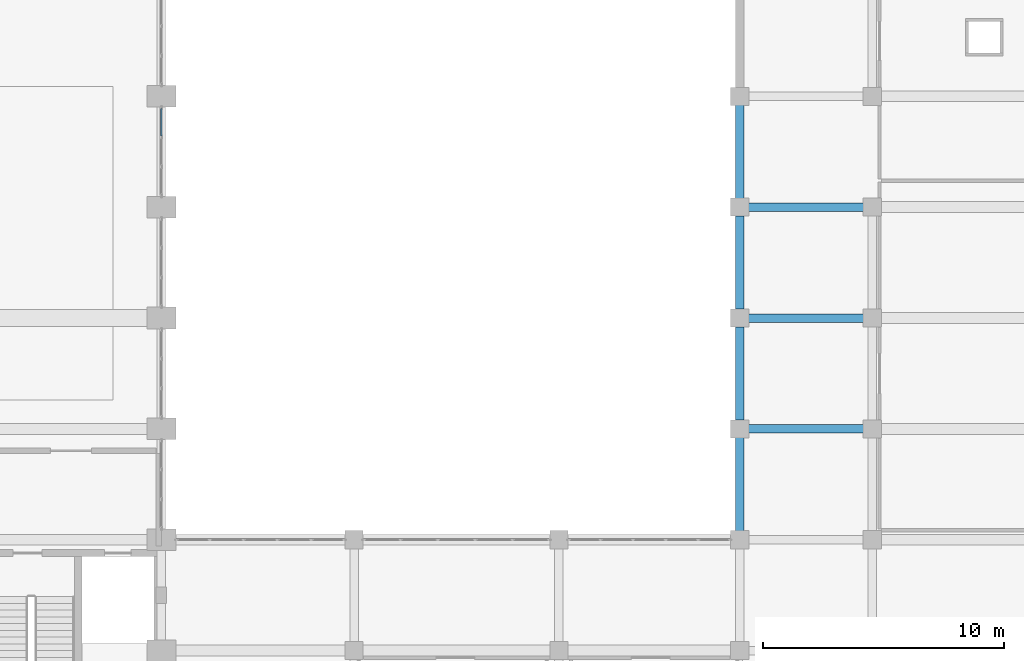
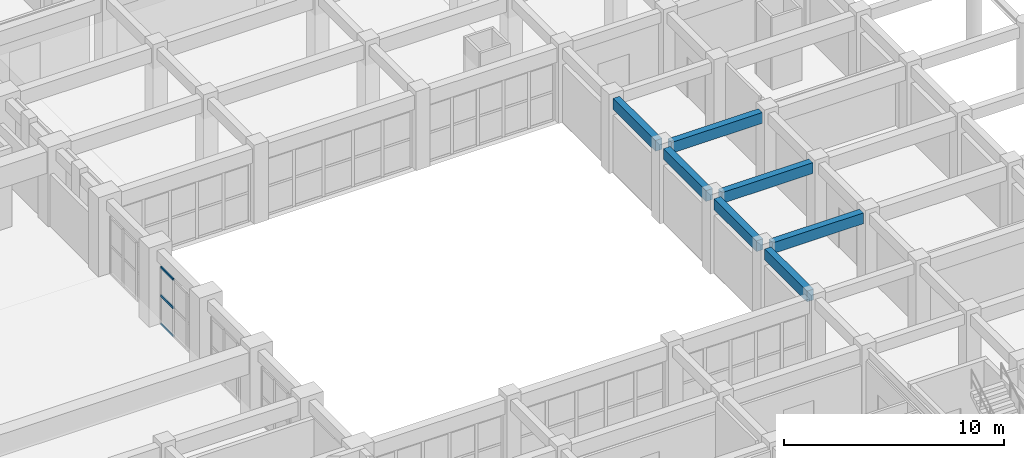
# One storey, part 65 of 116: 7 beams, 3 members, 1 element without a shape of its own.
"""IFC4 building model written with IfcOpenShell, lengths in metres."""

from ifc_helpers import new_model, si_unit, direction, frame, origin, origin_2d, place, context, subcontext, project, spatial, rectangle, hollow_rectangle, extrude, material, layer, layer_set, material_profile, profile_set, type_object, element, aggregate, save


model = new_model("IFC4")

# Units and contexts
model_context = context("Model", 3, precision=1e-05, world=origin(), true_north=direction((0.0, 1.0)))
body_context = subcontext(model_context, "Body", "Model", "MODEL_VIEW")
ifc_project = project(units=[si_unit("LENGTHUNIT", "METRE"), si_unit("AREAUNIT", "SQUARE_METRE"), si_unit("VOLUMEUNIT", "CUBIC_METRE"), si_unit("PLANEANGLEUNIT", "RADIAN"), si_unit("MASSUNIT", "GRAM", prefix="KILO")], contexts=[model_context])

# Site, building, storey
site_placement = place(None, origin())
site = spatial("IfcSite", under=ifc_project, at=site_placement, CompositionType="ELEMENT")
building_placement = place(site_placement, origin())
building = spatial("IfcBuilding", under=site, at=building_placement, Name="Muzn Square Opera House", CompositionType="ELEMENT")
storey_placement = place(building_placement, frame((0.0, 0.0, 5.39990234375)))
storey = spatial("IfcBuildingStorey", under=building, at=storey_placement, Name="L01", CompositionType="ELEMENT", Elevation=5.39990234375)

# Curtain wall, members
ifc_material_1 = material(Name="Low-E laminated acoustic double glazing", Category="glass")
ifc_layer = layer(ifc_material_1, 0.159912109375, Name="Low-E laminated acoustic double glazing", Category="glass")
ifc_layer_set = layer_set([ifc_layer], Name="Low-E laminated acoustic double glazing")
curtain_wall_type = type_object("IfcCurtainWallType", Name="Glazed Curtain Wall EastVaultCourt 3700x3200", PredefinedType="USERDEFINED", material=ifc_layer_set)
curtain_wall_placement = place(storey_placement, origin())
curtain_wall = element("IfcCurtainWall", 1, at=curtain_wall_placement, inside=storey, type_object=curtain_wall_type, Name="Glazed Curtain Wall CW-L01-046", ObjectType="GLAZED CURTAIN WALL", PredefinedType="USERDEFINED")
ifc_material_2 = material(Name="Anodised bronze aluminium 6063-T6", Category="metal")
ifc_material_profile_1 = material_profile(ifc_material_2, hollow_rectangle(XDim=0.06005859375, YDim=0.1201171875, WallThickness=0.00390625, at=origin_2d()), Name="ALU 120x60x4", Category="metal")
ifc_profile_set_1 = profile_set([ifc_material_profile_1], Name="Anodised bronze aluminium 6063-T6")
member_type = type_object("IfcMemberType", Name="Curtain Wall Transom 120x60", PredefinedType="USERDEFINED", material=ifc_profile_set_1)
member_1_placement = place(storey_placement, frame((133.0, 47.94677734375, 0.030029296875), z_axis=(0.0, 1.0, 0.0), x_axis=(-1.0, 0.0, 0.0)))
member_1 = element("IfcMember", 2, at=member_1_placement, type_object=member_type, Name="CW-EVC-37x32 transom 3.1", ObjectType="TRANSOM", PredefinedType="USERDEFINED", context=body_context, shape_type="SweptSolid", body=[
    extrude(hollow_rectangle(XDim=0.06005859375, YDim=0.1201171875, WallThickness=0.00390625, at=origin_2d()), origin(), (0.0, 0.0, 1.0), 1.143310546875),
])
member_2_placement = place(storey_placement, frame((133.0, 47.94677734375, 1.60009765625), z_axis=(0.0, 1.0, 0.0), x_axis=(-1.0, 0.0, 0.0)))
member_2 = element("IfcMember", 3, at=member_2_placement, type_object=member_type, Name="CW-EVC-37x32 transom 3.2", ObjectType="TRANSOM", PredefinedType="USERDEFINED", context=body_context, shape_type="SweptSolid", body=[
    extrude(hollow_rectangle(XDim=0.06005859375, YDim=0.1201171875, WallThickness=0.00390625, at=origin_2d()), origin(), (0.0, 0.0, 1.0), 1.143310546875),
])
member_3_placement = place(storey_placement, frame((133.0, 47.94677734375, 3.170166015625), z_axis=(0.0, 1.0, 0.0), x_axis=(-1.0, 0.0, 0.0)))
member_3 = element("IfcMember", 4, at=member_3_placement, type_object=member_type, Name="CW-EVC-37x32 transom 3.3", ObjectType="TRANSOM", PredefinedType="USERDEFINED", context=body_context, shape_type="SweptSolid", body=[
    extrude(hollow_rectangle(XDim=0.06005859375, YDim=0.1201171875, WallThickness=0.00390625, at=origin_2d()), origin(), (0.0, 0.0, 1.0), 1.143310546875),
])
aggregate(curtain_wall, [member_1, member_2, member_3])

# Beams
ifc_material_3 = material(Name="Concrete C40/50", Category="concrete")
ifc_material_profile_2 = material_profile(ifc_material_3, rectangle(XDim=0.35009765625, YDim=0.60009765625, at=origin_2d()), Name="RCB 350x600", Category="concrete")
ifc_profile_set_2 = profile_set([ifc_material_profile_2], Name="Concrete C40/50")
beam_type = type_object("IfcBeamType", Name="Primary Girder 350x600", PredefinedType="BEAM", material=ifc_profile_set_2)
for number, where, z_axis, x_axis, name in (
    (5, (157.366943359375, 35.800048828125, 3.85009765625), (1.0, 0.0, 0.0), (0.0, 1.0, 0.0), "Primary Girder BM-L01-BM-PG600-1574_358_1621_358-1345"),
    (6, (157.366943359375, 40.39990234375, 3.85009765625), (1.0, 0.0, 0.0), (0.0, 1.0, 0.0), "Primary Girder BM-L01-BM-PG600-1574_404_1621_404-1353"),
    (7, (157.366943359375, 45.0, 3.85009765625), (1.0, 0.0, 0.0), (0.0, 1.0, 0.0), "Primary Girder BM-L01-BM-PG600-1574_450_1621_450-1359"),
):
    element("IfcBeam", number, at=place(storey_placement, frame(where, z_axis=z_axis, x_axis=x_axis)), inside=storey, type_object=beam_type, Name=name, PredefinedType="BEAM", context=body_context, shape_type="SweptSolid", body=[
        extrude(rectangle(XDim=0.35009765625, YDim=0.60009765625, at=origin_2d()), origin(), (0.0, 0.0, 1.0), 4.76611328125),
    ])
beam_placement = place(storey_placement, frame((157.0, 31.56689453125, 3.820068359375), z_axis=(0.0, 1.0, 0.0), x_axis=(-1.0, 0.0, 0.0)))
element("IfcBeam", 8, at=beam_placement, inside=storey, type_object=beam_type, Name="Primary Girder BM-L01-BM-PG600-1570_316_1570_354-1740", PredefinedType="BEAM", context=body_context, shape_type="SweptSolid", body=[
    extrude(rectangle(XDim=0.35009765625, YDim=0.60009765625, at=origin_2d()), origin(), (0.0, 0.0, 1.0), 3.8662109375),
])
for number, where, z_axis, x_axis, name in (
    (9, (157.0, 36.1669921875, 3.820068359375), (0.0, 1.0, 0.0), (-1.0, 0.0, 0.0), "Primary Girder BM-L01-BM-PG600-1570_362_1570_400-1741"),
    (10, (157.0, 40.76708984375, 3.820068359375), (0.0, 1.0, 0.0), (-1.0, 0.0, 0.0), "Primary Girder BM-L01-BM-PG600-1570_408_1570_446-1742"),
    (11, (157.0, 45.366943359375, 3.820068359375), (0.0, 1.0, 0.0), (-1.0, 0.0, 0.0), "Primary Girder BM-L01-BM-PG600-1570_454_1570_492-1743"),
):
    element("IfcBeam", number, at=place(storey_placement, frame(where, z_axis=z_axis, x_axis=x_axis)), inside=storey, type_object=beam_type, Name=name, PredefinedType="BEAM", context=body_context, shape_type="SweptSolid", body=[
        extrude(rectangle(XDim=0.35009765625, YDim=0.60009765625, at=origin_2d()), origin(), (0.0, 0.0, 1.0), 3.865966796875),
    ])

save(model, "model.ifc")
